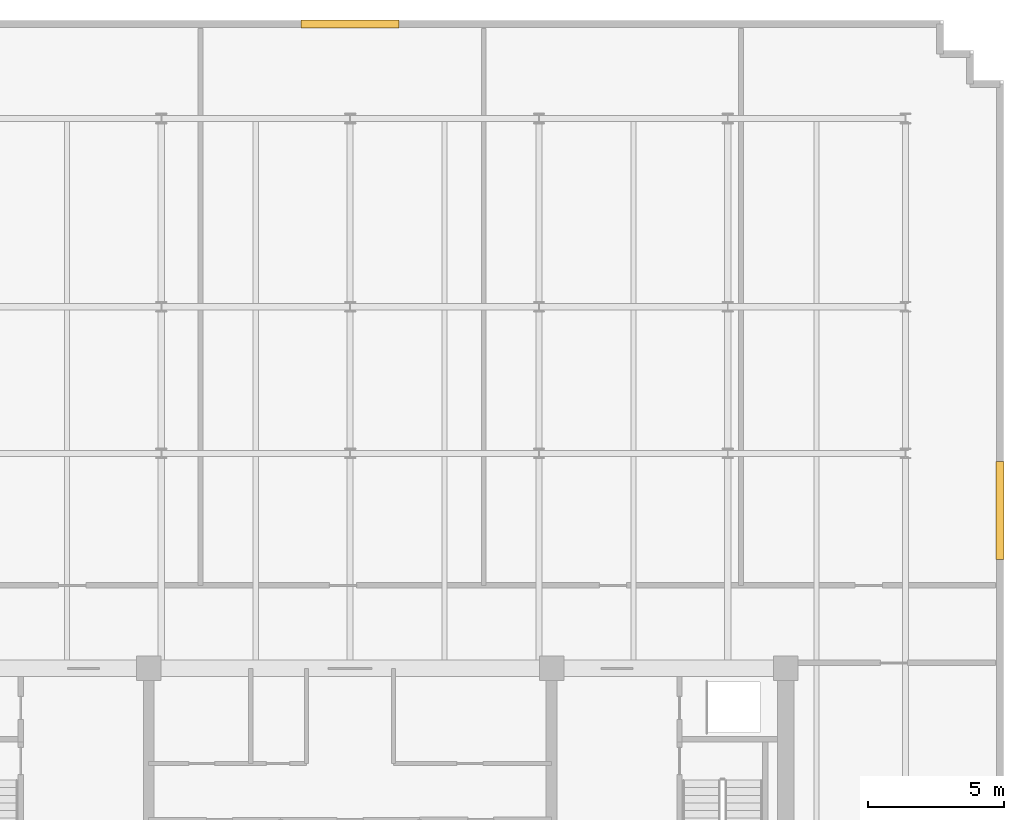
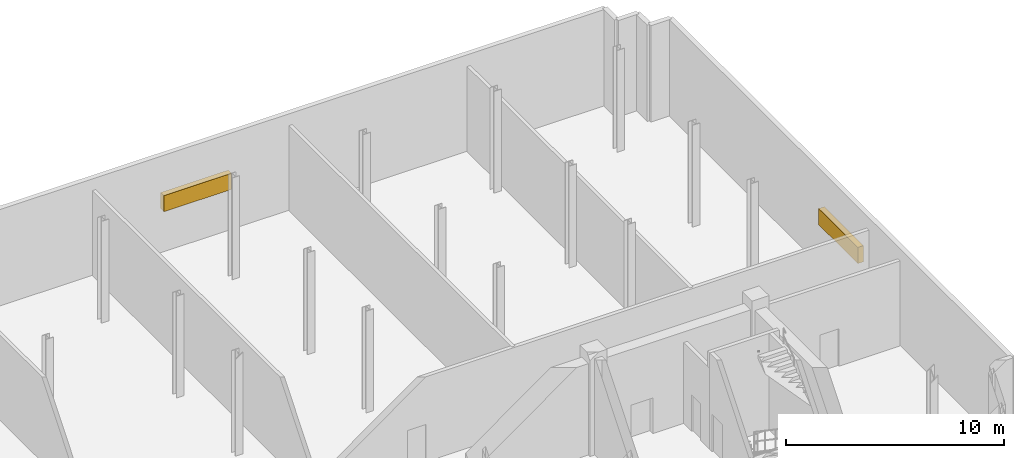
# One storey, part 6 of 6: 2 shading devices.
"""IFC4 building model written with IfcOpenShell, lengths in metres."""

from ifc_helpers import new_model, si_unit, direction, frame, origin, origin_2d, place, context, subcontext, project, spatial, rectangle, extrude, material, type_object, element, save


model = new_model("IFC4")

# Units and contexts
model_context = context("Model", 3, precision=1e-05, world=origin(), true_north=direction((0.0, 1.0)))
body_context = subcontext(model_context, "Body", "Model", "MODEL_VIEW")
ifc_project = project(units=[si_unit("LENGTHUNIT", "METRE"), si_unit("AREAUNIT", "SQUARE_METRE"), si_unit("VOLUMEUNIT", "CUBIC_METRE"), si_unit("PLANEANGLEUNIT", "RADIAN"), si_unit("MASSUNIT", "GRAM", prefix="KILO")], contexts=[model_context])

# Site, building, storey
site_placement = place(None, origin())
site = spatial("IfcSite", under=ifc_project, at=site_placement, CompositionType="ELEMENT")
building_placement = place(site_placement, origin())
building = spatial("IfcBuilding", under=site, at=building_placement, Name="Solmavex Isthmus Hotel", CompositionType="ELEMENT")
storey_placement = place(building_placement, frame((0.0, 0.0, 297.0)))
storey = spatial("IfcBuildingStorey", under=building, at=storey_placement, Name="L80", CompositionType="ELEMENT", Elevation=297.0)

# Shading devices
ifc_material = material(Name="Aluminium alloy 6063-T6", Category="aluminium")
shading_device_type = type_object("IfcShadingDeviceType", Name="SHD-LOUVRE-BOX", PredefinedType="JALOUSIE", material=ifc_material)
for number, where, z_axis, x_axis, name in (
    (1, (0.0, 21.169921875, 2.25), (0.0, 0.0, 1.0), (1.0, 0.0, 0.0), "Acoustic Intake Louvre Screen L80-11"),
    (2, (23.8701171875, 3.300048828125, 2.25), (0.0, 0.0, 1.0), (0.0, -1.0, 0.0), "Acoustic Intake Louvre Screen L80-16"),
):
    element("IfcShadingDevice", number, at=place(storey_placement, frame(where, z_axis=z_axis, x_axis=x_axis)), inside=storey, type_object=shading_device_type, Name=name, PredefinedType="JALOUSIE", context=body_context, shape_type="SweptSolid", body=[
        extrude(rectangle(XDim=3.60009765625, YDim=0.300048828125, at=origin_2d()), origin(), (0.0, 0.0, 1.0), 0.89990234375),
    ])

save(model, "model.ifc")
